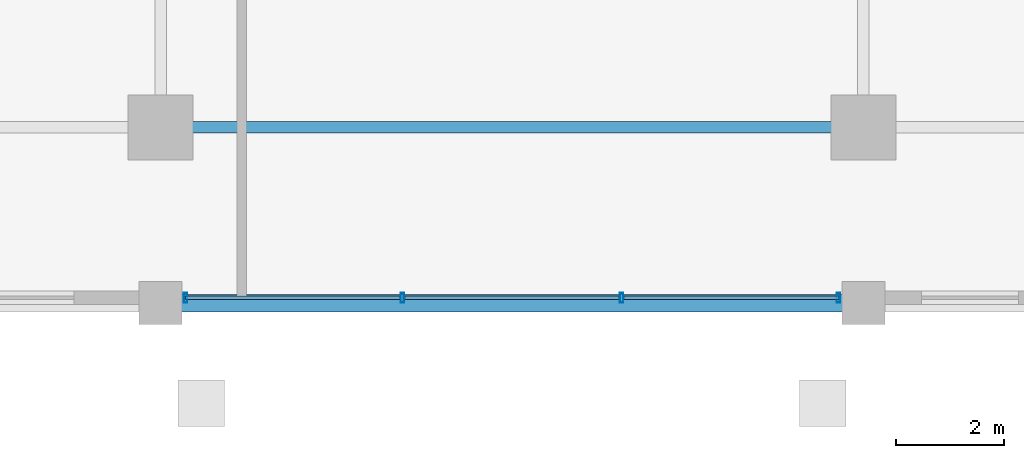
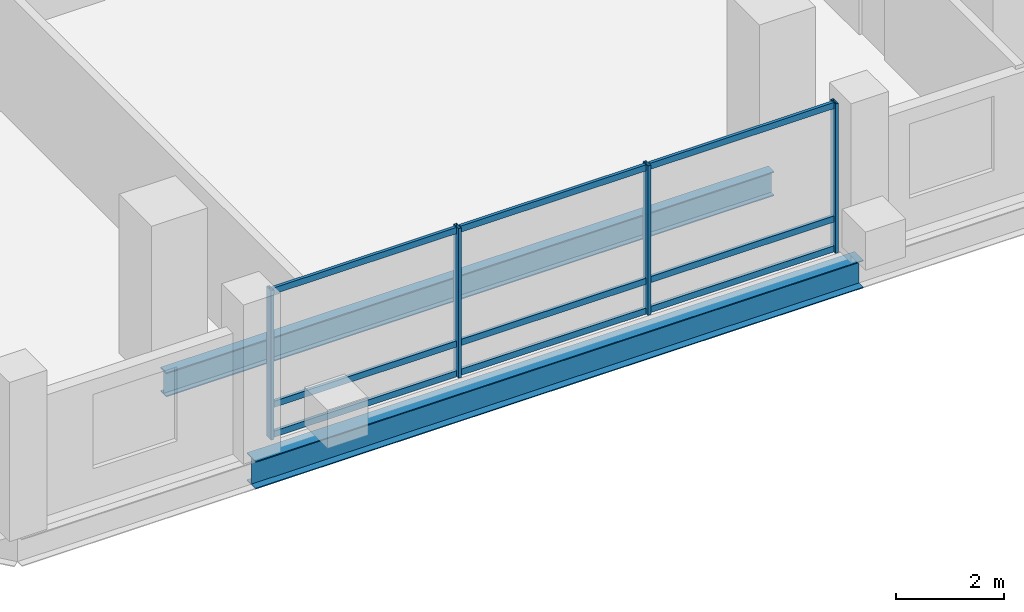
# One storey, part 2 of 19: 13 members, 2 beams, 1 element without a shape of its own.
"""IFC4 building model written with IfcOpenShell, lengths in metres."""

from ifc_helpers import new_model, si_unit, direction, frame, origin, origin_2d, place, context, subcontext, project, spatial, hollow_rectangle, i_section, extrude, material, layer, layer_set, material_profile, profile_set, type_object, element, aggregate, save


model = new_model("IFC4")

# Units and contexts
model_context = context("Model", 3, precision=1e-05, world=origin(), true_north=direction((0.0, 1.0)))
body_context = subcontext(model_context, "Body", "Model", "MODEL_VIEW")
ifc_project = project(units=[si_unit("LENGTHUNIT", "METRE"), si_unit("AREAUNIT", "SQUARE_METRE"), si_unit("VOLUMEUNIT", "CUBIC_METRE"), si_unit("PLANEANGLEUNIT", "RADIAN"), si_unit("MASSUNIT", "GRAM", prefix="KILO")], contexts=[model_context])

# Site, building, storey
site_placement = place(None, origin())
site = spatial("IfcSite", under=ifc_project, at=site_placement, CompositionType="ELEMENT")
building_placement = place(site_placement, origin())
building = spatial("IfcBuilding", under=site, at=building_placement, Name="Barlavira Tower and Art Museum", CompositionType="ELEMENT")
storey_placement = place(building_placement, frame((0.0, 0.0, 113.39990234375)))
storey = spatial("IfcBuildingStorey", under=building, at=storey_placement, Name="L28", CompositionType="ELEMENT", Elevation=113.39990234375)

# Curtain wall, members
ifc_material_1 = material(Name="Low-iron coastal laminated glass", Category="glass")
ifc_layer = layer(ifc_material_1, 0.18994140625, Name="Low-iron coastal laminated glass")
ifc_layer_set = layer_set([ifc_layer], Name="Low-iron coastal laminated glass")
curtain_wall_type = type_object("IfcCurtainWallType", Name="Pale-Metal Unitised Curtain Wall Zone 2", PredefinedType="NOTDEFINED", material=ifc_layer_set)
curtain_wall_placement = place(storey_placement, origin())
curtain_wall = element("IfcCurtainWall", 1, at=curtain_wall_placement, inside=storey, type_object=curtain_wall_type, Name="L28 Curtain Wall CW2-L28-S-B3", PredefinedType="NOTDEFINED")
ifc_material_2 = material(Name="Pale anodised aluminium", Category="aluminium")
ifc_material_profile_1 = material_profile(ifc_material_2, hollow_rectangle(XDim=0.06494140625, YDim=0.179931640625, WallThickness=0.00390625, at=origin_2d()), Name="ALU-MULL 65x180x4")
ifc_profile_set_1 = profile_set([ifc_material_profile_1], Name="Pale anodised aluminium")
member_type_1 = type_object("IfcMemberType", Name="Curtain Wall Pale-Metal Mullion 65x180", PredefinedType="MULLION", material=ifc_profile_set_1)
member_1_placement = place(storey_placement, frame((-6.034912109375, -23.14990234375, 0.0), z_axis=(0.0, 0.0, 1.0), x_axis=(1.0, 0.0, 0.0)))
member_1 = element("IfcMember", 2, at=member_1_placement, type_object=member_type_1, Name="CW2-L28-S-B3 Mullion 0", PredefinedType="MULLION", context=body_context, shape_type="SweptSolid", body=[
    extrude(hollow_rectangle(XDim=0.06494140625, YDim=0.179931640625, WallThickness=0.00390625, at=origin_2d()), origin(), (0.0, 0.0, 1.0), 3.380126953125),
])
member_2_placement = place(storey_placement, frame((-2.026611328125, -23.14990234375, 0.0), z_axis=(0.0, 0.0, 1.0), x_axis=(1.0, 0.0, 0.0)))
member_2 = element("IfcMember", 3, at=member_2_placement, type_object=member_type_1, Name="CW2-L28-S-B3 Mullion 1", PredefinedType="MULLION", context=body_context, shape_type="SweptSolid", body=[
    extrude(hollow_rectangle(XDim=0.06494140625, YDim=0.179931640625, WallThickness=0.00390625, at=origin_2d()), origin(), (0.0, 0.0, 1.0), 3.380126953125),
])
member_3_placement = place(storey_placement, frame((2.026611328125, -23.14990234375, 0.0), z_axis=(0.0, 0.0, 1.0), x_axis=(1.0, 0.0, 0.0)))
member_3 = element("IfcMember", 4, at=member_3_placement, type_object=member_type_1, Name="CW2-L28-S-B3 Mullion 2", PredefinedType="MULLION", context=body_context, shape_type="SweptSolid", body=[
    extrude(hollow_rectangle(XDim=0.06494140625, YDim=0.179931640625, WallThickness=0.00390625, at=origin_2d()), origin(), (0.0, 0.0, 1.0), 3.380126953125),
])
member_4_placement = place(storey_placement, frame((6.034912109375, -23.14990234375, 0.0), z_axis=(0.0, 0.0, 1.0), x_axis=(1.0, 0.0, 0.0)))
member_4 = element("IfcMember", 5, at=member_4_placement, type_object=member_type_1, Name="CW2-L28-S-B3 Mullion 3", PredefinedType="MULLION", context=body_context, shape_type="SweptSolid", body=[
    extrude(hollow_rectangle(XDim=0.06494140625, YDim=0.179931640625, WallThickness=0.00390625, at=origin_2d()), origin(), (0.0, 0.0, 1.0), 3.380126953125),
])
ifc_material_profile_2 = material_profile(ifc_material_2, hollow_rectangle(XDim=0.06494140625, YDim=0.139892578125, WallThickness=0.00390625, at=origin_2d()), Name="ALU-TRAN 65x140x4")
ifc_profile_set_2 = profile_set([ifc_material_profile_2], Name="Pale anodised aluminium")
member_type_2 = type_object("IfcMemberType", Name="Curtain Wall Pale-Metal Transom 65x140", PredefinedType="USERDEFINED", material=ifc_profile_set_2)
member_5_placement = place(storey_placement, frame((-6.034912109375, -23.14990234375, 0.070068359375), z_axis=(1.0, 0.0, 0.0), x_axis=(0.0, 1.0, 0.0)))
member_5 = element("IfcMember", 6, at=member_5_placement, type_object=member_type_2, Name="CW2-L28-S-B3 Transom 0.1", ObjectType="TRANSOM", PredefinedType="USERDEFINED", context=body_context, shape_type="SweptSolid", body=[
    extrude(hollow_rectangle(XDim=0.06494140625, YDim=0.139892578125, WallThickness=0.00390625, at=origin_2d()), origin(), (0.0, 0.0, 1.0), 3.963134765625),
])
member_6_placement = place(storey_placement, frame((-6.034912109375, -23.14990234375, 0.744140625), z_axis=(1.0, 0.0, 0.0), x_axis=(0.0, 1.0, 0.0)))
member_6 = element("IfcMember", 7, at=member_6_placement, type_object=member_type_2, Name="CW2-L28-S-B3 Transom 0.2", ObjectType="TRANSOM", PredefinedType="USERDEFINED", context=body_context, shape_type="SweptSolid", body=[
    extrude(hollow_rectangle(XDim=0.06494140625, YDim=0.139892578125, WallThickness=0.00390625, at=origin_2d()), origin(), (0.0, 0.0, 1.0), 3.963134765625),
])
member_7_placement = place(storey_placement, frame((-6.034912109375, -23.14990234375, 3.31005859375), z_axis=(1.0, 0.0, 0.0), x_axis=(0.0, 1.0, 0.0)))
member_7 = element("IfcMember", 8, at=member_7_placement, type_object=member_type_2, Name="CW2-L28-S-B3 Transom 0.3", ObjectType="TRANSOM", PredefinedType="USERDEFINED", context=body_context, shape_type="SweptSolid", body=[
    extrude(hollow_rectangle(XDim=0.06494140625, YDim=0.139892578125, WallThickness=0.00390625, at=origin_2d()), origin(), (0.0, 0.0, 1.0), 3.963134765625),
])
member_8_placement = place(storey_placement, frame((-1.981689453125, -23.14990234375, 0.070068359375), z_axis=(1.0, 0.0, 0.0), x_axis=(0.0, 1.0, 0.0)))
member_8 = element("IfcMember", 9, at=member_8_placement, type_object=member_type_2, Name="CW2-L28-S-B3 Transom 1.1", ObjectType="TRANSOM", PredefinedType="USERDEFINED", context=body_context, shape_type="SweptSolid", body=[
    extrude(hollow_rectangle(XDim=0.06494140625, YDim=0.139892578125, WallThickness=0.00390625, at=origin_2d()), origin(), (0.0, 0.0, 1.0), 3.96337890625),
])
member_9_placement = place(storey_placement, frame((-1.981689453125, -23.14990234375, 0.744140625), z_axis=(1.0, 0.0, 0.0), x_axis=(0.0, 1.0, 0.0)))
member_9 = element("IfcMember", 10, at=member_9_placement, type_object=member_type_2, Name="CW2-L28-S-B3 Transom 1.2", ObjectType="TRANSOM", PredefinedType="USERDEFINED", context=body_context, shape_type="SweptSolid", body=[
    extrude(hollow_rectangle(XDim=0.06494140625, YDim=0.139892578125, WallThickness=0.00390625, at=origin_2d()), origin(), (0.0, 0.0, 1.0), 3.96337890625),
])
member_10_placement = place(storey_placement, frame((-1.981689453125, -23.14990234375, 3.31005859375), z_axis=(1.0, 0.0, 0.0), x_axis=(0.0, 1.0, 0.0)))
member_10 = element("IfcMember", 11, at=member_10_placement, type_object=member_type_2, Name="CW2-L28-S-B3 Transom 1.3", ObjectType="TRANSOM", PredefinedType="USERDEFINED", context=body_context, shape_type="SweptSolid", body=[
    extrude(hollow_rectangle(XDim=0.06494140625, YDim=0.139892578125, WallThickness=0.00390625, at=origin_2d()), origin(), (0.0, 0.0, 1.0), 3.96337890625),
])
member_11_placement = place(storey_placement, frame((2.07177734375, -23.14990234375, 0.070068359375), z_axis=(1.0, 0.0, 0.0), x_axis=(0.0, 1.0, 0.0)))
member_11 = element("IfcMember", 12, at=member_11_placement, type_object=member_type_2, Name="CW2-L28-S-B3 Transom 2.1", ObjectType="TRANSOM", PredefinedType="USERDEFINED", context=body_context, shape_type="SweptSolid", body=[
    extrude(hollow_rectangle(XDim=0.06494140625, YDim=0.139892578125, WallThickness=0.00390625, at=origin_2d()), origin(), (0.0, 0.0, 1.0), 3.963134765625),
])
member_12_placement = place(storey_placement, frame((2.07177734375, -23.14990234375, 0.744140625), z_axis=(1.0, 0.0, 0.0), x_axis=(0.0, 1.0, 0.0)))
member_12 = element("IfcMember", 13, at=member_12_placement, type_object=member_type_2, Name="CW2-L28-S-B3 Transom 2.2", ObjectType="TRANSOM", PredefinedType="USERDEFINED", context=body_context, shape_type="SweptSolid", body=[
    extrude(hollow_rectangle(XDim=0.06494140625, YDim=0.139892578125, WallThickness=0.00390625, at=origin_2d()), origin(), (0.0, 0.0, 1.0), 3.963134765625),
])
member_13_placement = place(storey_placement, frame((2.07177734375, -23.14990234375, 3.31005859375), z_axis=(1.0, 0.0, 0.0), x_axis=(0.0, 1.0, 0.0)))
member_13 = element("IfcMember", 14, at=member_13_placement, type_object=member_type_2, Name="CW2-L28-S-B3 Transom 2.3", ObjectType="TRANSOM", PredefinedType="USERDEFINED", context=body_context, shape_type="SweptSolid", body=[
    extrude(hollow_rectangle(XDim=0.06494140625, YDim=0.139892578125, WallThickness=0.00390625, at=origin_2d()), origin(), (0.0, 0.0, 1.0), 3.963134765625),
])
aggregate(curtain_wall, [member_1, member_2, member_3, member_4, member_5, member_6, member_7, member_8, member_9, member_10, member_11, member_12, member_13])

# Beams
ifc_material_3 = material(Name="Steel S355", Category="steel")
ifc_material_profile_3 = material_profile(ifc_material_3, i_section(OverallWidth=0.327880859375, OverallDepth=0.62890625, WebThickness=0.013916015625, FlangeThickness=0.021484375, at=origin_2d()), Name="W610x174.0")
ifc_profile_set_3 = profile_set([ifc_material_profile_3], Name="Steel S355")
beam_type_1 = type_object("IfcBeamType", Name="Perimeter Spandrel Edge Beam W610x174 Steel S355", PredefinedType="SPANDREL", material=ifc_profile_set_3)
beam_1_placement = place(storey_placement, frame((-6.5, -23.25, -0.534423828125), z_axis=(1.0, 0.0, 0.0), x_axis=(0.0, 1.0, 0.0)))
element("IfcBeam", 15, at=beam_1_placement, inside=storey, type_object=beam_type_1, Name="L28 Spandrel 2", PredefinedType="SPANDREL", context=body_context, shape_type="SweptSolid", body=[
    extrude(i_section(OverallWidth=0.327880859375, OverallDepth=0.62890625, WebThickness=0.013916015625, FlangeThickness=0.021484375, at=origin_2d()), origin(), (0.0, 0.0, 1.0), 13.0),
])
ifc_material_profile_4 = material_profile(ifc_material_3, i_section(OverallWidth=0.214111328125, OverallDepth=0.549072265625, WebThickness=0.0146484375, FlangeThickness=0.023681640625, at=origin_2d()), Name="W530x138.0")
ifc_profile_set_4 = profile_set([ifc_material_profile_4], Name="Steel S355")
beam_type_2 = type_object("IfcBeamType", Name="Zone 1 Primary Floor Girder W530x138 Steel S355", PredefinedType="BEAM", material=ifc_profile_set_4)
beam_2_placement = place(storey_placement, frame((-6.5, -20.0, -0.494384765625), z_axis=(1.0, 0.0, 0.0), x_axis=(0.0, 1.0, 0.0)))
element("IfcBeam", 16, at=beam_2_placement, inside=storey, type_object=beam_type_2, Name="L28 Girder M-S2", PredefinedType="BEAM", context=body_context, shape_type="SweptSolid", body=[
    extrude(i_section(OverallWidth=0.214111328125, OverallDepth=0.549072265625, WebThickness=0.0146484375, FlangeThickness=0.023681640625, at=origin_2d()), origin(), (0.0, 0.0, 1.0), 13.0),
])

save(model, "model.ifc")
